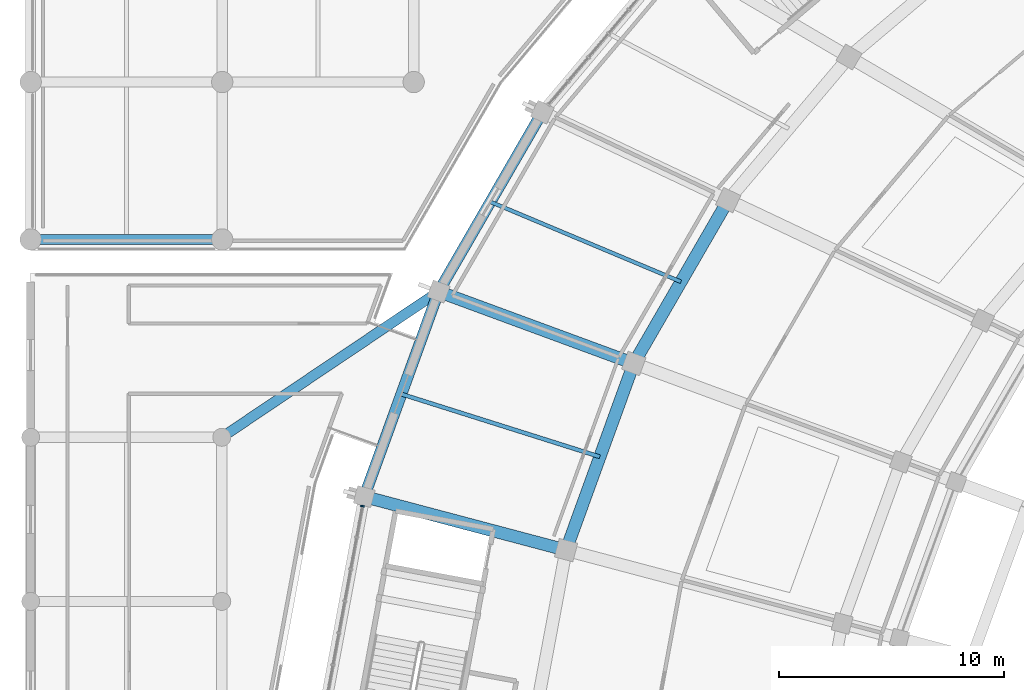
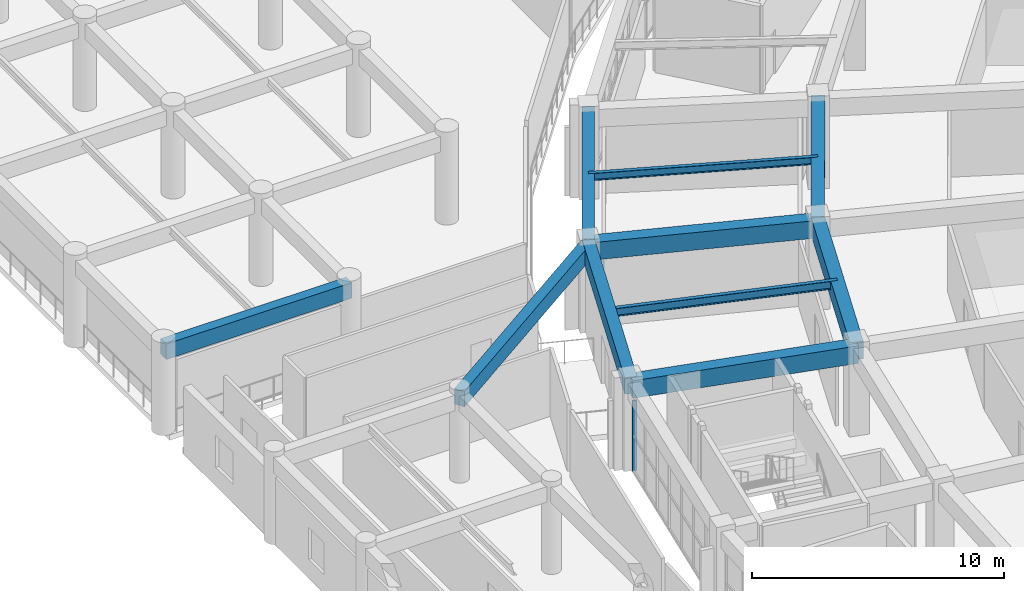
# One storey, part 31 of 145: 10 beams, 1 member, 1 element without a shape of its own.
"""IFC4 building model written with IfcOpenShell, lengths in metres."""

from ifc_helpers import new_model, si_unit, direction, frame, origin, origin_2d, place, context, subcontext, project, spatial, rectangle, i_section, extrude, material, layer, layer_set, material_profile, profile_set, type_object, element, aggregate, save


model = new_model("IFC4")

# Units and contexts
model_context = context("Model", 3, precision=1e-05, world=origin(), true_north=direction((0.0, 1.0)))
body_context = subcontext(model_context, "Body", "Model", "MODEL_VIEW")
ifc_project = project(units=[si_unit("LENGTHUNIT", "METRE"), si_unit("AREAUNIT", "SQUARE_METRE"), si_unit("VOLUMEUNIT", "CUBIC_METRE"), si_unit("PLANEANGLEUNIT", "RADIAN"), si_unit("MASSUNIT", "GRAM", prefix="KILO")], contexts=[model_context])

# Site, building, storey
site_placement = place(None, origin())
site = spatial("IfcSite", under=ifc_project, at=site_placement, CompositionType="ELEMENT")
building_placement = place(site_placement, origin())
building = spatial("IfcBuilding", under=site, at=building_placement, Name="Mphavela Belvedere Stadium", CompositionType="ELEMENT")
storey_placement = place(building_placement, frame((0.0, 0.0, 10.199951171875)))
storey = spatial("IfcBuildingStorey", under=building, at=storey_placement, Name="L02", CompositionType="ELEMENT", Elevation=10.199951171875)

# Beams
ifc_material_1 = material(Name="Steel S355", Category="steel")
ifc_material_profile_1 = material_profile(ifc_material_1, i_section(OverallWidth=0.169921875, OverallDepth=0.360107421875, WebThickness=0.008056640625, FlangeThickness=0.0126953125, at=origin_2d()), Name="IPE 360")
ifc_profile_set_1 = profile_set([ifc_material_profile_1], Name="Steel S355")
beam_type_1 = type_object("IfcBeamType", Name="BM-JOIST-IPE360", PredefinedType="JOIST", material=ifc_profile_set_1)
beam_1_placement = place(storey_placement, frame((28.924560546875, 123.116455078125, 4.070068359375), z_axis=(-0.922122234563, 0.386898674751, 0.0), x_axis=(-0.386898674751, -0.922122234563, 0.0)))
element("IfcBeam", 1, at=beam_1_placement, inside=storey, type_object=beam_type_1, Name="Concourse floor joist L02-21", PredefinedType="JOIST", context=body_context, shape_type="SweptSolid", body=[
    extrude(i_section(OverallWidth=0.169921875, OverallDepth=0.360107421875, WebThickness=0.008056640625, FlangeThickness=0.0126953125, at=origin_2d()), origin(), (0.0, 0.0, 1.0), 9.189453125),
])
ifc_material_2 = material(Name="Steel S355", Category="steel")
ifc_material_profile_2 = material_profile(ifc_material_2, i_section(OverallWidth=0.179931640625, OverallDepth=0.39990234375, WebThickness=0.008544921875, FlangeThickness=0.013427734375, at=origin_2d()), Name="IPE 400")
ifc_profile_set_2 = profile_set([ifc_material_profile_2], Name="Steel S355")
beam_type_2 = type_object("IfcBeamType", Name="BM-JOIST-IPE400", PredefinedType="JOIST", material=ifc_profile_set_2)
beam_2_placement = place(storey_placement, frame((25.318359375, 115.3330078125, 4.050048828125), z_axis=(-0.953544002003, 0.301253773826, 0.0), x_axis=(-0.301253773826, -0.953544002003, 0.0)))
element("IfcBeam", 2, at=beam_2_placement, inside=storey, type_object=beam_type_2, Name="Concourse floor joist L02-22", PredefinedType="JOIST", context=body_context, shape_type="SweptSolid", body=[
    extrude(i_section(OverallWidth=0.179931640625, OverallDepth=0.39990234375, WebThickness=0.008544921875, FlangeThickness=0.013427734375, at=origin_2d()), origin(), (0.0, 0.0, 1.0), 9.259033203125),
])
ifc_material_3 = material(Name="Concrete C40/50", Category="concrete")
ifc_material_profile_3 = material_profile(ifc_material_3, rectangle(XDim=0.449951171875, YDim=0.75, at=origin_2d()), Name="RC 450x750")
ifc_profile_set_3 = profile_set([ifc_material_profile_3], Name="Concrete C40/50")
beam_type_3 = type_object("IfcBeamType", Name="BM-RC450x750", PredefinedType="BEAM", material=ifc_profile_set_3)
beam_3_placement = place(storey_placement, frame((0.0, 125.0, 3.864990234375), z_axis=(1.0, 0.0, 0.0), x_axis=(0.0, 1.0, 0.0)))
element("IfcBeam", 3, at=beam_3_placement, inside=storey, type_object=beam_type_3, Name="North Mast and Ceremonial End Forecourt entablature beam X L02 1-1", PredefinedType="BEAM", context=body_context, shape_type="SweptSolid", body=[
    extrude(rectangle(XDim=0.449951171875, YDim=0.75, at=origin_2d()), origin(), (0.0, 0.0, 1.0), 8.51904296875),
])
beam_4_placement = place(storey_placement, frame((8.5, 116.199951171875, 3.864990234375), z_axis=(0.82993028647, 0.557867116436, 0.0), x_axis=(-0.557867116436, 0.82993028647, 0.0)))
element("IfcBeam", 4, at=beam_4_placement, inside=storey, type_object=beam_type_3, Name="West Planted Eaves Peristyle Colonnade bowl link girder L02-6", PredefinedType="BEAM", context=body_context, shape_type="SweptSolid", body=[
    extrude(rectangle(XDim=0.449951171875, YDim=0.75, at=origin_2d()), origin(), (0.0, 0.0, 1.0), 11.6201171875),
])
ifc_material_4 = material(Name="Concrete C40/50", Category="concrete")
ifc_material_profile_4 = material_profile(ifc_material_4, rectangle(XDim=0.550048828125, YDim=0.85009765625, at=origin_2d()), Name="RC 550x850")
ifc_profile_set_4 = profile_set([ifc_material_profile_4], Name="Concrete C40/50")
beam_type_4 = type_object("IfcBeamType", Name="BM-RC550x850", PredefinedType="BEAM", material=ifc_profile_set_4)
beam_5_placement = place(storey_placement, frame((31.0244140625, 126.748291015625, 3.824951171875), z_axis=(-0.500547586322, -0.865709023765, 0.0), x_axis=(0.865709023765, -0.500547586322, 0.0)))
element("IfcBeam", 5, at=beam_5_placement, inside=storey, type_object=beam_type_4, Name="Circumferential girder L02 R3-21", PredefinedType="BEAM", context=body_context, shape_type="SweptSolid", body=[
    extrude(rectangle(XDim=0.550048828125, YDim=0.85009765625, at=origin_2d()), origin(), (0.0, 0.0, 1.0), 8.390625),
])
beam_6_placement = place(storey_placement, frame((26.824462890625, 119.484375, 3.824951171875), z_axis=(-0.341030504348, -0.940052229987, 0.0), x_axis=(0.940052229987, -0.341030504348, 0.0)))
element("IfcBeam", 6, at=beam_6_placement, inside=storey, type_object=beam_type_4, Name="Circumferential girder L02 R3-22", PredefinedType="BEAM", context=body_context, shape_type="SweptSolid", body=[
    extrude(rectangle(XDim=0.550048828125, YDim=0.85009765625, at=origin_2d()), origin(), (0.0, 0.0, 1.0), 8.83203125),
])
beam_7_placement = place(storey_placement, frame((26.824462890625, 119.484375, 3.824951171875), z_axis=(-0.938348073025, 0.345691905967, 0.0), x_axis=(-0.345691905967, -0.938348073025, 0.0)))
element("IfcBeam", 7, at=beam_7_placement, inside=storey, type_object=beam_type_4, Name="Radial concourse girder L02 R3R4-22", PredefinedType="BEAM", context=body_context, shape_type="SweptSolid", body=[
    extrude(rectangle(XDim=0.550048828125, YDim=0.85009765625, at=origin_2d()), origin(), (0.0, 0.0, 1.0), 9.2509765625),
])
beam_8_placement = place(storey_placement, frame((23.8125, 111.181884765625, 3.824951171875), z_axis=(-0.966589609073, 0.256328944196, 0.0), x_axis=(-0.256328944196, -0.966589609073, 0.0)))
element("IfcBeam", 8, at=beam_8_placement, inside=storey, type_object=beam_type_4, Name="Radial concourse girder L02 R3R4-23", PredefinedType="BEAM", context=body_context, shape_type="SweptSolid", body=[
    extrude(rectangle(XDim=0.550048828125, YDim=0.85009765625, at=origin_2d()), origin(), (0.0, 0.0, 1.0), 9.287353515625),
])
ifc_material_5 = material(Name="Concrete C40/50", Category="concrete")
ifc_material_profile_5 = material_profile(ifc_material_5, rectangle(XDim=0.5, YDim=0.800048828125, at=origin_2d()), Name="RC 500x800")
ifc_profile_set_5 = profile_set([ifc_material_profile_5], Name="Concrete C40/50")
beam_type_5 = type_object("IfcBeamType", Name="BM-SPANDREL-800", PredefinedType="SPANDREL", material=ifc_profile_set_5)
beam_9_placement = place(storey_placement, frame((22.757568359375, 130.66162109375, 3.85009765625), z_axis=(-0.500565297122, -0.865698783248, 0.0), x_axis=(0.865698783248, -0.500565297122, 0.0)))
element("IfcBeam", 9, at=beam_9_placement, inside=storey, type_object=beam_type_5, Name="Circumferential girder L02 R4-21", PredefinedType="SPANDREL", context=body_context, shape_type="SweptSolid", body=[
    extrude(rectangle(XDim=0.5, YDim=0.800048828125, at=origin_2d()), origin(), (0.0, 0.0, 1.0), 9.217041015625),
])
beam_10_placement = place(storey_placement, frame((18.143798828125, 122.682373046875, 3.85009765625), z_axis=(-0.341017570596, -0.94005692197, 0.0), x_axis=(0.94005692197, -0.341017570596, 0.0)))
element("IfcBeam", 10, at=beam_10_placement, inside=storey, type_object=beam_type_5, Name="Circumferential girder L02 R4-22", PredefinedType="SPANDREL", context=body_context, shape_type="SweptSolid", body=[
    extrude(rectangle(XDim=0.5, YDim=0.800048828125, at=origin_2d()), origin(), (0.0, 0.0, 1.0), 9.701416015625),
])

# Curtain wall, member
ifc_material_6 = material(Name="Anodised bronze unitised curtain wall framing")
ifc_layer = layer(ifc_material_6, 0.18505859375)
ifc_layer_set = layer_set([ifc_layer], Name="Anodised bronze unitised curtain wall framing")
curtain_wall_type = type_object("IfcCurtainWallType", Name="CW-UNIT-02", PredefinedType="USERDEFINED", material=ifc_layer_set)
curtain_wall_placement = place(storey_placement, origin())
curtain_wall = element("IfcCurtainWall", 11, at=curtain_wall_placement, inside=storey, type_object=curtain_wall_type, Name="Belvedere colonnade curtain wall L02-23", ObjectType="UNITISED CURTAIN WALL", PredefinedType="USERDEFINED")
ifc_material_7 = material(Name="Anodised bronze extruded aluminium", Category="aluminium")
ifc_material_profile_6 = material_profile(ifc_material_7, rectangle(XDim=0.179931640625, YDim=0.06494140625, at=origin_2d()), Name="CW-MUL 180x65")
ifc_profile_set_6 = profile_set([ifc_material_profile_6], Name="Anodised bronze extruded aluminium")
member_type = type_object("IfcMemberType", Name="CWM-180x65", PredefinedType="MULLION", material=ifc_profile_set_6)
member_placement = place(storey_placement, frame((14.7568359375, 113.13916015625, 0.0), z_axis=(0.0, 0.0, 1.0), x_axis=(0.983182568174, -0.182625402503, 0.0)))
member = element("IfcMember", 12, at=member_placement, type_object=member_type, Name="CW-02 mullion 1", PredefinedType="MULLION", context=body_context, shape_type="SweptSolid", body=[
    extrude(rectangle(XDim=0.179931640625, YDim=0.06494140625, at=origin_2d()), origin(), (0.0, 0.0, 1.0), 3.420166015625),
])
aggregate(curtain_wall, [member])

save(model, "model.ifc")
